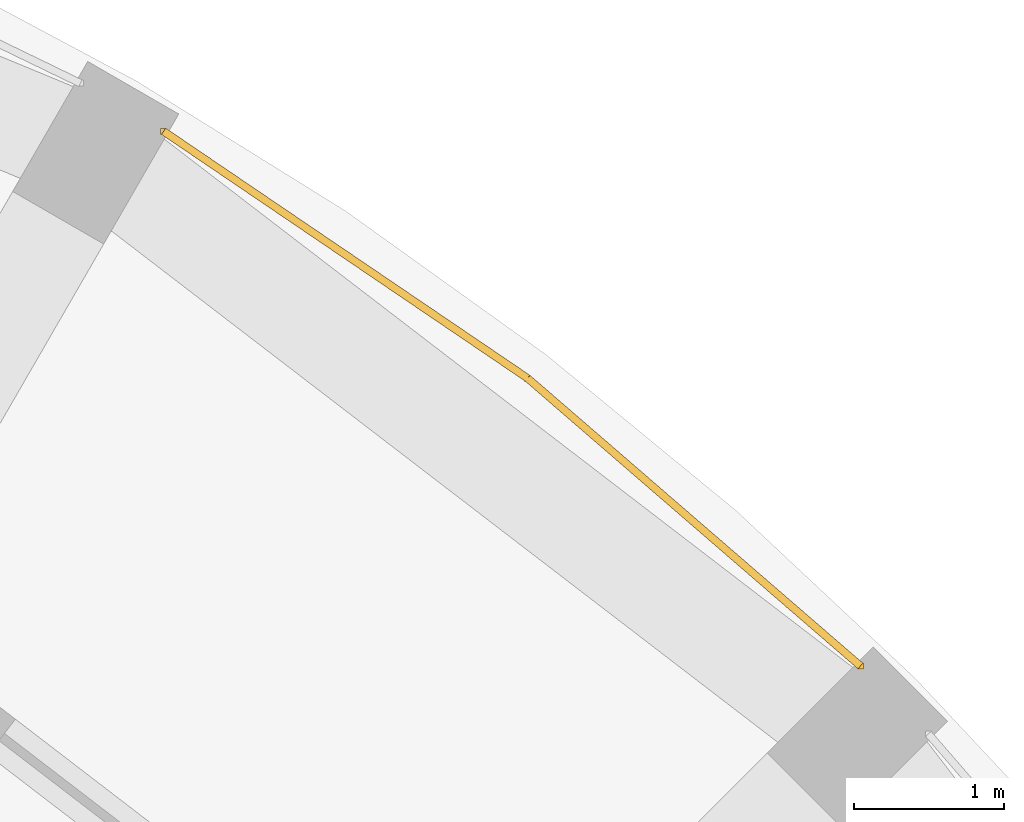
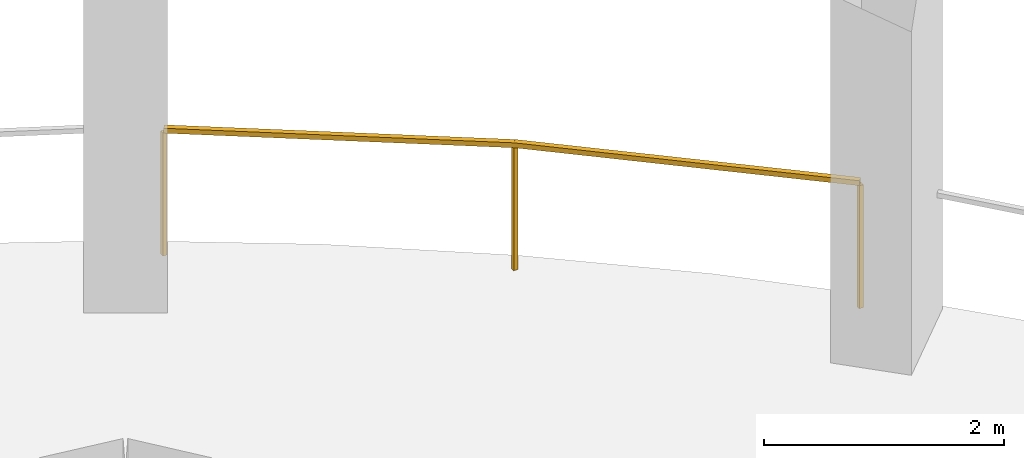
# One storey, part 8 of 8: 1 railing.
"""IFC4 building model written with IfcOpenShell, lengths in metres."""

import ifcopenshell
import ifcopenshell.guid

model = None  # the IFC model being written
_history = None  # IfcOwnerHistory: only IFC2X3 demands one
_inside = {}  # id of a spatial element -> (the spatial element, [elements in it])
_under = {}  # id of a project, library or spatial element -> (it, [spatial elements below it])
_declared = {}  # id of a project -> (the project, [libraries it declares])
_typed = {}  # id of a type object -> (the type object, [elements of that type])
_made_of = {}  # id of a material, layer set ... -> (it, [elements and type objects made of it])


def new_model(schema):
    """Start an empty IFC model of exactly this schema.

    Asked for "IFC4X3", IfcOpenShell would pick the latest addendum, in which some entities
    have other attributes; the version numbers below select the first issue.
    IFC2X3 requires an IfcOwnerHistory on every rooted entity: one is made here for all.
    """
    global model, _history
    if schema == "IFC4X3":
        model = ifcopenshell.file(schema_version=(4, 3, 0, 0))
    else:
        model = ifcopenshell.file(schema=schema)
    _inside.clear()
    _under.clear()
    _declared.clear()
    _typed.clear()
    _made_of.clear()
    _history = None
    if model.schema == "IFC2X3":
        org = make("IfcOrganization", Name="unknown")
        user = make(
            "IfcPersonAndOrganization",
            ThePerson=make("IfcPerson", FamilyName="unknown"),
            TheOrganization=org,
        )
        app = make(
            "IfcApplication",
            ApplicationDeveloper=org,
            Version="unknown",
            ApplicationFullName="unknown",
            ApplicationIdentifier="unknown",
        )
        _history = make(
            "IfcOwnerHistory",
            OwningUser=user,
            OwningApplication=app,
            ChangeAction="ADDED",
            CreationDate=0,
        )
    return model


def make(cls, **values):
    """One entity of the class cls with the attributes given. An attribute that is None is left unset."""
    return model.create_entity(
        cls, **{name: value for name, value in values.items() if value is not None}
    )


def rooted(cls, **values):
    """An entity with a GlobalId (a new one), such as an element, a storey or a relation."""
    return make(cls, GlobalId=ifcopenshell.guid.new(), OwnerHistory=_history, **values)


def si_unit(unit_type, name, prefix=None):
    """IfcSIUnit, for example si_unit("LENGTHUNIT", "METRE", prefix="MILLI")."""
    return make("IfcSIUnit", UnitType=unit_type, Prefix=prefix, Name=name)


def assignment(units):
    """IfcUnitAssignment: the units of a project."""
    return None if units is None else make("IfcUnitAssignment", Units=units)


def point(xyz):
    """IfcCartesianPoint."""
    return None if xyz is None else make("IfcCartesianPoint", Coordinates=xyz)


def direction(xyz):
    """IfcDirection."""
    return None if xyz is None else make("IfcDirection", DirectionRatios=xyz)


def frame(location, z_axis=None, x_axis=None):
    """IfcAxis2Placement3D, a coordinate frame: its origin and axes. An axis left out is left unset."""
    return make(
        "IfcAxis2Placement3D",
        Location=point(location),
        Axis=direction(z_axis),
        RefDirection=direction(x_axis),
    )


def frame_2d(location, x_axis=None):
    """IfcAxis2Placement2D, a coordinate frame in the plane: its origin and x axis."""
    return make(
        "IfcAxis2Placement2D", Location=point(location), RefDirection=direction(x_axis)
    )


def origin():
    """The frame at (0, 0, 0) with its axes left unset."""
    return frame((0.0, 0.0, 0.0))


def origin_2d():
    """The frame at (0, 0) in the plane with its x axis left unset."""
    return frame_2d((0.0, 0.0))


def place(relative_to, where):
    """IfcLocalPlacement: puts the frame where relative to a parent placement (None: the world)."""
    return make(
        "IfcLocalPlacement", PlacementRelTo=relative_to, RelativePlacement=where
    )


def context(
    kind, dimensions, precision=None, world=None, true_north=None, identifier=None
):
    """IfcGeometricRepresentationContext, for example the 3D "Model" context."""
    return make(
        "IfcGeometricRepresentationContext",
        ContextIdentifier=identifier,
        ContextType=kind,
        CoordinateSpaceDimension=dimensions,
        Precision=precision,
        WorldCoordinateSystem=world,
        TrueNorth=true_north,
    )


def subcontext(parent, identifier, kind, view, scale=None):
    """IfcGeometricRepresentationSubContext, for example "Body" below "Model"."""
    return make(
        "IfcGeometricRepresentationSubContext",
        ContextIdentifier=identifier,
        ContextType=kind,
        ParentContext=parent,
        TargetScale=scale,
        TargetView=view,
    )


def project(units=None, contexts=None):
    """IfcProject with its units and contexts."""
    return rooted(
        "IfcProject",
        Name="project",
        RepresentationContexts=contexts,
        UnitsInContext=assignment(units),
    )


def spatial(cls, under=None, at=None, **own):
    """A site, building, storey or space (cls), placed at a placement, below another one or the project."""
    s = rooted(cls, ObjectPlacement=at, **own)
    if under is not None:
        _under.setdefault(under.id(), (under, []))[1].append(s)
    return s


def profile(cls, at=None, kind="AREA", **sizes):
    """A parametric profile (cls). Its sizes go by their IFC names, for example OverallWidth=200.0."""
    return make(cls, ProfileType=kind, Position=at, **sizes)


def rectangle(**sizes):
    """IfcRectangleProfileDef."""
    return profile("IfcRectangleProfileDef", **sizes)


def extrude(swept, where, along, depth):
    """IfcExtrudedAreaSolid: the profile swept, set in the frame where, extruded along a direction by depth."""
    return make(
        "IfcExtrudedAreaSolid",
        SweptArea=swept,
        Position=where,
        ExtrudedDirection=direction(along),
        Depth=depth,
    )


def shape(context_of_items, identifier, shape_type, items):
    """IfcShapeRepresentation: the items that make up one representation, for example the "Body"."""
    return make(
        "IfcShapeRepresentation",
        ContextOfItems=context_of_items,
        RepresentationIdentifier=identifier,
        RepresentationType=shape_type,
        Items=items,
    )


def material(Name=None, Category=None):
    """IfcMaterial."""
    return make("IfcMaterial", Name=Name, Category=Category)


def made_of(thing, what):
    """Note that an element or type object is made of a material, layer set ...; save() writes the relation."""
    if what is not None:
        _made_of.setdefault(what.id(), (what, []))[1].append(thing)
    return thing


def type_object(cls, material=None, **own):
    """A type object (cls), such as IfcWallType, which elements share."""
    return made_of(rooted(cls, **own), material)


def element(
    cls,
    number,
    at=None,
    inside=None,
    cuts=None,
    type_object=None,
    material=None,
    context=None,
    identifier="Body",
    shape_type=None,
    held_by="IfcProductDefinitionShape",
    body=None,
    shapes=None,
    **own,
):
    """One element of the class cls, such as IfcWall. Its Tag is "e" and its number.

    at: its placement. inside: the storey or other place that contains it. cuts: it is an
    opening in that element (IfcRelVoidsElement). A single representation is given by context,
    identifier, shape_type and body (its items); several are given by shapes. held_by: the class
    of the entity that holds the representations. save() writes the other relations.
    """
    e = rooted(cls, Tag="e%d" % number, ObjectPlacement=at, **own)
    if body is not None:
        shapes = [shape(context, identifier, shape_type, body)]
    if shapes is not None:
        e.Representation = make(held_by, Representations=shapes)
    if inside is not None:
        _inside.setdefault(inside.id(), (inside, []))[1].append(e)
    if cuts is not None:
        rooted(
            "IfcRelVoidsElement", RelatingBuildingElement=cuts, RelatedOpeningElement=e
        )
    if type_object is not None:
        _typed.setdefault(type_object.id(), (type_object, []))[1].append(e)
    return made_of(e, material)


def aggregate(whole, parts):
    """IfcRelAggregates: a whole, such as a stair, and the parts it consists of."""
    return rooted("IfcRelAggregates", RelatingObject=whole, RelatedObjects=parts)


def save(model, path):
    """Write the relations noted so far, then the file.

    IfcRelAggregates (storeys below a building ...), IfcRelContainedInSpatialStructure (elements
    in a storey), IfcRelDefinesByType, IfcRelAssociatesMaterial and IfcRelDeclares: one each for
    every whole, place, type object, material and project.
    """
    for whole, parts in _under.values():
        aggregate(whole, parts)
    for where, things in _inside.values():
        rooted(
            "IfcRelContainedInSpatialStructure",
            RelatedElements=things,
            RelatingStructure=where,
        )
    for kind, things in _typed.values():
        rooted("IfcRelDefinesByType", RelatedObjects=things, RelatingType=kind)
    for what, things in _made_of.values():
        rooted("IfcRelAssociatesMaterial", RelatedObjects=things, RelatingMaterial=what)
    for by, libraries in _declared.values():
        rooted("IfcRelDeclares", RelatingContext=by, RelatedDefinitions=libraries)
    model.write(path)


model = new_model("IFC4")

# Units and contexts
model_context = context("Model", 3, precision=1e-05, world=origin(), true_north=direction((0.0, 1.0)))
body_context = subcontext(model_context, "Body", "Model", "MODEL_VIEW")
ifc_project = project(units=[si_unit("LENGTHUNIT", "METRE"), si_unit("AREAUNIT", "SQUARE_METRE"), si_unit("VOLUMEUNIT", "CUBIC_METRE"), si_unit("PLANEANGLEUNIT", "RADIAN"), si_unit("MASSUNIT", "GRAM", prefix="KILO")], contexts=[model_context])

# Site, building, storey
site_placement = place(None, origin())
site = spatial("IfcSite", under=ifc_project, at=site_placement, CompositionType="ELEMENT")
building_placement = place(site_placement, origin())
building = spatial("IfcBuilding", under=site, at=building_placement, Name="Torre Triforio", CompositionType="ELEMENT")
storey_placement = place(building_placement, frame((0.0, 0.0, 123.800048828125)))
storey = spatial("IfcBuildingStorey", under=building, at=storey_placement, Name="L27", CompositionType="ELEMENT", Elevation=123.800048828125)

# Railing
ifc_material = material(Name="Stainless steel AISI 316", Category="steel")
railing_type = type_object("IfcRailingType", Name="Loggia guard 1300", PredefinedType="GUARDRAIL", material=ifc_material)
railing_placement = place(storey_placement, frame((17.34521484375, 17.7978515625, 0.0)))
element("IfcRailing", 1, at=railing_placement, inside=storey, type_object=railing_type, Name="Loggia guard L27 bay 04", PredefinedType="GUARDRAIL", context=body_context, shape_type="SweptSolid", body=[
    extrude(rectangle(XDim=0.050048828125, YDim=0.050048828125, at=origin_2d()), frame((0.0, 0.0, 1.27490234375), z_axis=(-0.756510170049, 0.653981928353, 0.0), x_axis=(-0.653981928353, -0.756510170049, 0.0)), (0.0, 0.0, 1.0), 2.93115234375),
    extrude(rectangle(XDim=0.050048828125, YDim=0.050048828125, at=origin_2d()), frame((-2.217529296875, 1.9169921875, 1.27490234375), z_axis=(-0.827499269821, 0.561466791934, 0.0), x_axis=(-0.561466791934, -0.827499269821, 0.0)), (0.0, 0.0, 1.0), 2.93115234375),
    extrude(rectangle(XDim=0.0400390625, YDim=0.0400390625, at=origin_2d()), origin(), (0.0, 0.0, 1.0), 1.25),
    extrude(rectangle(XDim=0.0400390625, YDim=0.0400390625, at=origin_2d()), frame((-2.217529296875, 1.9169921875, 0.0)), (0.0, 0.0, 1.0), 1.25),
    extrude(rectangle(XDim=0.0400390625, YDim=0.0400390625, at=origin_2d()), frame((-4.64306640625, 3.562744140625, 0.0)), (0.0, 0.0, 1.0), 1.25),
])

save(model, "model.ifc")
